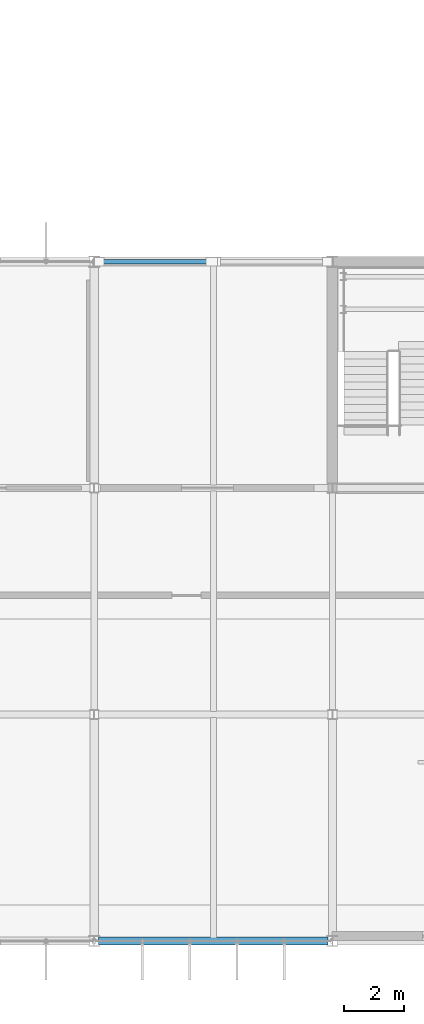
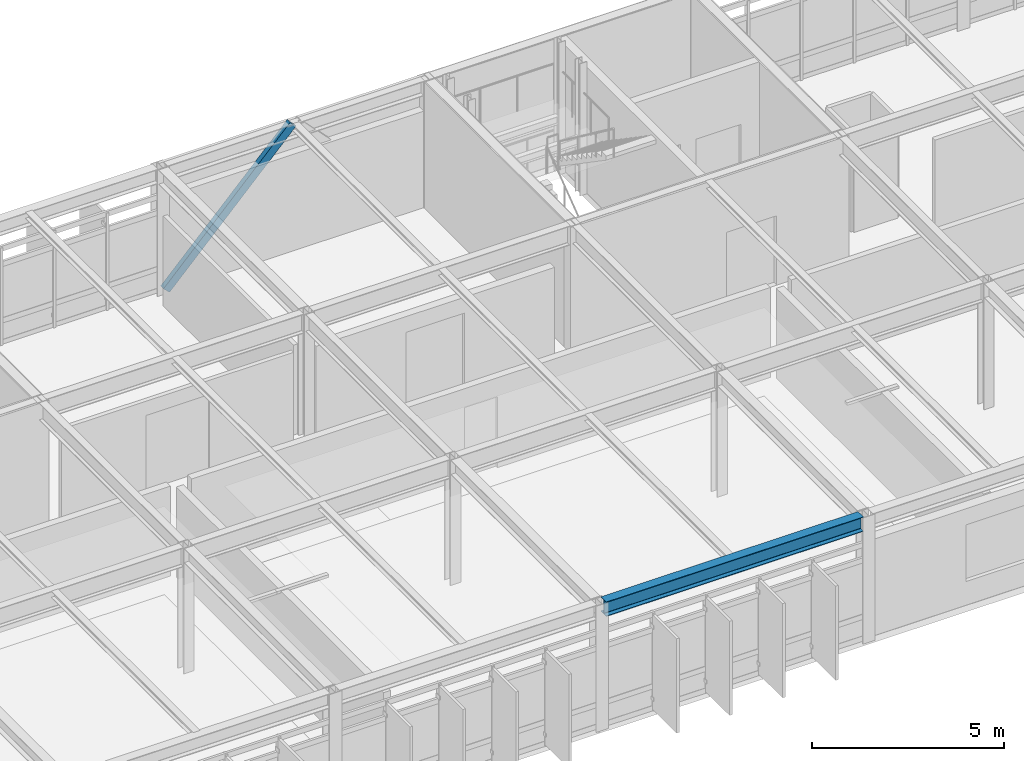
# One storey, part 15 of 45: 1 beam, 1 member.
"""IFC4 building model written with IfcOpenShell, lengths in metres."""

from ifc_helpers import new_model, si_unit, direction, frame, origin, origin_2d, place, context, subcontext, project, spatial, hollow_rectangle, i_section, extrude, material, material_profile, profile_set, type_object, element, save


model = new_model("IFC4")

# Units and contexts
model_context = context("Model", 3, precision=1e-05, world=origin(), true_north=direction((0.0, 1.0)))
body_context = subcontext(model_context, "Body", "Model", "MODEL_VIEW")
ifc_project = project(units=[si_unit("LENGTHUNIT", "METRE"), si_unit("AREAUNIT", "SQUARE_METRE"), si_unit("VOLUMEUNIT", "CUBIC_METRE"), si_unit("PLANEANGLEUNIT", "RADIAN"), si_unit("MASSUNIT", "GRAM", prefix="KILO")], contexts=[model_context])

# Site, building, storey
site_placement = place(None, origin())
site = spatial("IfcSite", under=ifc_project, at=site_placement, CompositionType="ELEMENT")
building_placement = place(site_placement, origin())
building = spatial("IfcBuilding", under=site, at=building_placement, Name="Zulena Civic Courthouse", CompositionType="ELEMENT")
storey_placement = place(building_placement, frame((0.0, 0.0, 29.39990234375)))
storey = spatial("IfcBuildingStorey", under=building, at=storey_placement, Name="L06", CompositionType="ELEMENT", Elevation=29.39990234375)

# Member
ifc_material_1 = material(Name="Steel ASTM A500 Grade C", Category="steel")
ifc_material_profile_1 = material_profile(ifc_material_1, hollow_rectangle(XDim=0.152099609375, YDim=0.25390625, WallThickness=0.0087890625, at=origin_2d()), Name="HSS10X6X3/8")
ifc_profile_set_1 = profile_set([ifc_material_profile_1], Name="Steel ASTM A500 Grade C")
member_type = type_object("IfcMemberType", Name="Brace_HSS10X6", PredefinedType="BRACE", material=ifc_profile_set_1)
member_placement = place(storey_placement, frame((36.14990234375, 22.800048828125, 0.010009765625), z_axis=(0.693277822184, 0.0, 0.72067042486), x_axis=(0.0, 1.0, 0.0)))
element("IfcMember", 1, at=member_placement, inside=storey, type_object=member_type, Name="brace:V2:L06:1:0", PredefinedType="BRACE", context=body_context, shape_type="SweptSolid", body=[
    extrude(hollow_rectangle(XDim=0.152099609375, YDim=0.25390625, WallThickness=0.0087890625, at=origin_2d()), origin(), (0.0, 0.0, 1.0), 5.481201171875),
])

# Beam
ifc_material_2 = material(Name="Steel ASTM A992 Grade 50", Category="steel")
ifc_material_profile_2 = material_profile(ifc_material_2, i_section(OverallWidth=0.280029296875, OverallDepth=0.462890625, WebThickness=0.0107421875, FlangeThickness=0.017333984375, FilletRadius=0.01025390625, at=origin_2d()), Name="W18X76")
ifc_profile_set_2 = profile_set([ifc_material_profile_2], Name="Steel ASTM A992 Grade 50")
beam_type = type_object("IfcBeamType", Name="Spandrel_W18X76", PredefinedType="SPANDREL", material=ifc_profile_set_2)
beam_placement = place(storey_placement, frame((36.14501953125, 0.0, 3.7685546875), z_axis=(1.0, 0.0, 0.0), x_axis=(0.0, 1.0, 0.0)))
element("IfcBeam", 2, at=beam_placement, inside=storey, type_object=beam_type, Name="beam:X:V2:L06:0.0:36.0_44.0", PredefinedType="SPANDREL", context=body_context, shape_type="SweptSolid", body=[
    extrude(i_section(OverallWidth=0.280029296875, OverallDepth=0.462890625, WebThickness=0.0107421875, FlangeThickness=0.017333984375, FilletRadius=0.01025390625, at=origin_2d()), origin(), (0.0, 0.0, 1.0), 7.7099609375),
])

save(model, "model.ifc")
